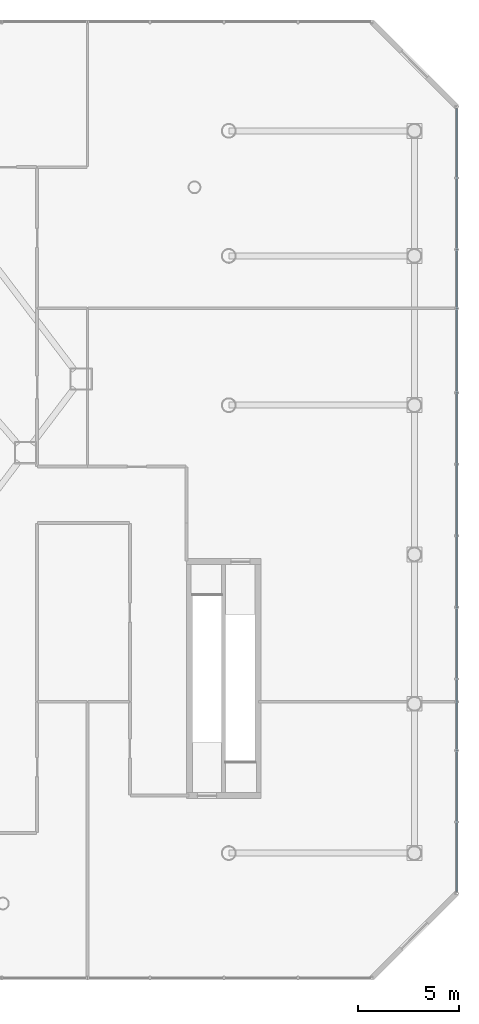
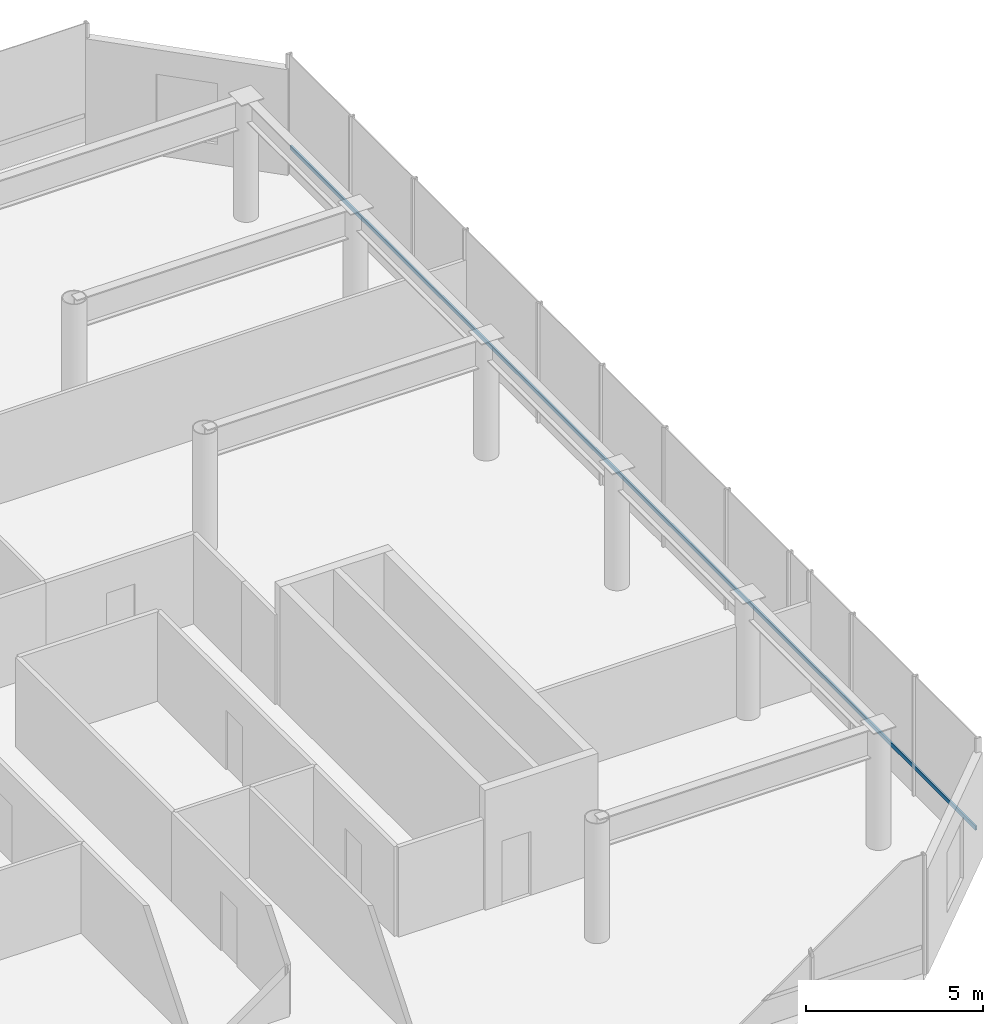
# One storey, part 32 of 43: 1 member, 1 element without a shape of its own.
"""IFC4 building model written with IfcOpenShell, lengths in metres."""

import ifcopenshell
import ifcopenshell.guid

model = None  # the IFC model being written
_history = None  # IfcOwnerHistory: only IFC2X3 demands one
_inside = {}  # id of a spatial element -> (the spatial element, [elements in it])
_under = {}  # id of a project, library or spatial element -> (it, [spatial elements below it])
_declared = {}  # id of a project -> (the project, [libraries it declares])
_typed = {}  # id of a type object -> (the type object, [elements of that type])
_made_of = {}  # id of a material, layer set ... -> (it, [elements and type objects made of it])


def new_model(schema):
    """Start an empty IFC model of exactly this schema.

    Asked for "IFC4X3", IfcOpenShell would pick the latest addendum, in which some entities
    have other attributes; the version numbers below select the first issue.
    IFC2X3 requires an IfcOwnerHistory on every rooted entity: one is made here for all.
    """
    global model, _history
    if schema == "IFC4X3":
        model = ifcopenshell.file(schema_version=(4, 3, 0, 0))
    else:
        model = ifcopenshell.file(schema=schema)
    _inside.clear()
    _under.clear()
    _declared.clear()
    _typed.clear()
    _made_of.clear()
    _history = None
    if model.schema == "IFC2X3":
        org = make("IfcOrganization", Name="unknown")
        user = make(
            "IfcPersonAndOrganization",
            ThePerson=make("IfcPerson", FamilyName="unknown"),
            TheOrganization=org,
        )
        app = make(
            "IfcApplication",
            ApplicationDeveloper=org,
            Version="unknown",
            ApplicationFullName="unknown",
            ApplicationIdentifier="unknown",
        )
        _history = make(
            "IfcOwnerHistory",
            OwningUser=user,
            OwningApplication=app,
            ChangeAction="ADDED",
            CreationDate=0,
        )
    return model


def make(cls, **values):
    """One entity of the class cls with the attributes given. An attribute that is None is left unset."""
    return model.create_entity(
        cls, **{name: value for name, value in values.items() if value is not None}
    )


def rooted(cls, **values):
    """An entity with a GlobalId (a new one), such as an element, a storey or a relation."""
    return make(cls, GlobalId=ifcopenshell.guid.new(), OwnerHistory=_history, **values)


def si_unit(unit_type, name, prefix=None):
    """IfcSIUnit, for example si_unit("LENGTHUNIT", "METRE", prefix="MILLI")."""
    return make("IfcSIUnit", UnitType=unit_type, Prefix=prefix, Name=name)


def assignment(units):
    """IfcUnitAssignment: the units of a project."""
    return None if units is None else make("IfcUnitAssignment", Units=units)


def point(xyz):
    """IfcCartesianPoint."""
    return None if xyz is None else make("IfcCartesianPoint", Coordinates=xyz)


def direction(xyz):
    """IfcDirection."""
    return None if xyz is None else make("IfcDirection", DirectionRatios=xyz)


def frame(location, z_axis=None, x_axis=None):
    """IfcAxis2Placement3D, a coordinate frame: its origin and axes. An axis left out is left unset."""
    return make(
        "IfcAxis2Placement3D",
        Location=point(location),
        Axis=direction(z_axis),
        RefDirection=direction(x_axis),
    )


def frame_2d(location, x_axis=None):
    """IfcAxis2Placement2D, a coordinate frame in the plane: its origin and x axis."""
    return make(
        "IfcAxis2Placement2D", Location=point(location), RefDirection=direction(x_axis)
    )


def origin():
    """The frame at (0, 0, 0) with its axes left unset."""
    return frame((0.0, 0.0, 0.0))


def origin_2d():
    """The frame at (0, 0) in the plane with its x axis left unset."""
    return frame_2d((0.0, 0.0))


def place(relative_to, where):
    """IfcLocalPlacement: puts the frame where relative to a parent placement (None: the world)."""
    return make(
        "IfcLocalPlacement", PlacementRelTo=relative_to, RelativePlacement=where
    )


def context(
    kind, dimensions, precision=None, world=None, true_north=None, identifier=None
):
    """IfcGeometricRepresentationContext, for example the 3D "Model" context."""
    return make(
        "IfcGeometricRepresentationContext",
        ContextIdentifier=identifier,
        ContextType=kind,
        CoordinateSpaceDimension=dimensions,
        Precision=precision,
        WorldCoordinateSystem=world,
        TrueNorth=true_north,
    )


def subcontext(parent, identifier, kind, view, scale=None):
    """IfcGeometricRepresentationSubContext, for example "Body" below "Model"."""
    return make(
        "IfcGeometricRepresentationSubContext",
        ContextIdentifier=identifier,
        ContextType=kind,
        ParentContext=parent,
        TargetScale=scale,
        TargetView=view,
    )


def project(units=None, contexts=None):
    """IfcProject with its units and contexts."""
    return rooted(
        "IfcProject",
        Name="project",
        RepresentationContexts=contexts,
        UnitsInContext=assignment(units),
    )


def spatial(cls, under=None, at=None, **own):
    """A site, building, storey or space (cls), placed at a placement, below another one or the project."""
    s = rooted(cls, ObjectPlacement=at, **own)
    if under is not None:
        _under.setdefault(under.id(), (under, []))[1].append(s)
    return s


def profile(cls, at=None, kind="AREA", **sizes):
    """A parametric profile (cls). Its sizes go by their IFC names, for example OverallWidth=200.0."""
    return make(cls, ProfileType=kind, Position=at, **sizes)


def hollow_rectangle(**sizes):
    """IfcRectangleHollowProfileDef."""
    return profile("IfcRectangleHollowProfileDef", **sizes)


def extrude(swept, where, along, depth):
    """IfcExtrudedAreaSolid: the profile swept, set in the frame where, extruded along a direction by depth."""
    return make(
        "IfcExtrudedAreaSolid",
        SweptArea=swept,
        Position=where,
        ExtrudedDirection=direction(along),
        Depth=depth,
    )


def shape(context_of_items, identifier, shape_type, items):
    """IfcShapeRepresentation: the items that make up one representation, for example the "Body"."""
    return make(
        "IfcShapeRepresentation",
        ContextOfItems=context_of_items,
        RepresentationIdentifier=identifier,
        RepresentationType=shape_type,
        Items=items,
    )


def material(Name=None, Category=None):
    """IfcMaterial."""
    return make("IfcMaterial", Name=Name, Category=Category)


def layer(
    of_material, thickness, ventilated=None, Name=None, Category=None, Priority=None
):
    """IfcMaterialLayer: one layer of a wall or slab, of a material (None: an air gap)."""
    return make(
        "IfcMaterialLayer",
        Material=of_material,
        LayerThickness=thickness,
        IsVentilated=ventilated,
        Name=Name,
        Category=Category,
        Priority=Priority,
    )


def layer_set(layers, Name=None):
    """IfcMaterialLayerSet."""
    return make("IfcMaterialLayerSet", MaterialLayers=layers, LayerSetName=Name)


def material_profile(
    of_material, cross_section, Name=None, Category=None, Priority=None
):
    """IfcMaterialProfile: a cross section and its material."""
    return make(
        "IfcMaterialProfile",
        Name=Name,
        Material=of_material,
        Profile=cross_section,
        Priority=Priority,
        Category=Category,
    )


def profile_set(profiles, Name=None, composite=None):
    """IfcMaterialProfileSet."""
    return make(
        "IfcMaterialProfileSet",
        Name=Name,
        MaterialProfiles=profiles,
        CompositeProfile=composite,
    )


def made_of(thing, what):
    """Note that an element or type object is made of a material, layer set ...; save() writes the relation."""
    if what is not None:
        _made_of.setdefault(what.id(), (what, []))[1].append(thing)
    return thing


def type_object(cls, material=None, **own):
    """A type object (cls), such as IfcWallType, which elements share."""
    return made_of(rooted(cls, **own), material)


def element(
    cls,
    number,
    at=None,
    inside=None,
    cuts=None,
    type_object=None,
    material=None,
    context=None,
    identifier="Body",
    shape_type=None,
    held_by="IfcProductDefinitionShape",
    body=None,
    shapes=None,
    **own,
):
    """One element of the class cls, such as IfcWall. Its Tag is "e" and its number.

    at: its placement. inside: the storey or other place that contains it. cuts: it is an
    opening in that element (IfcRelVoidsElement). A single representation is given by context,
    identifier, shape_type and body (its items); several are given by shapes. held_by: the class
    of the entity that holds the representations. save() writes the other relations.
    """
    e = rooted(cls, Tag="e%d" % number, ObjectPlacement=at, **own)
    if body is not None:
        shapes = [shape(context, identifier, shape_type, body)]
    if shapes is not None:
        e.Representation = make(held_by, Representations=shapes)
    if inside is not None:
        _inside.setdefault(inside.id(), (inside, []))[1].append(e)
    if cuts is not None:
        rooted(
            "IfcRelVoidsElement", RelatingBuildingElement=cuts, RelatedOpeningElement=e
        )
    if type_object is not None:
        _typed.setdefault(type_object.id(), (type_object, []))[1].append(e)
    return made_of(e, material)


def aggregate(whole, parts):
    """IfcRelAggregates: a whole, such as a stair, and the parts it consists of."""
    return rooted("IfcRelAggregates", RelatingObject=whole, RelatedObjects=parts)


def save(model, path):
    """Write the relations noted so far, then the file.

    IfcRelAggregates (storeys below a building ...), IfcRelContainedInSpatialStructure (elements
    in a storey), IfcRelDefinesByType, IfcRelAssociatesMaterial and IfcRelDeclares: one each for
    every whole, place, type object, material and project.
    """
    for whole, parts in _under.values():
        aggregate(whole, parts)
    for where, things in _inside.values():
        rooted(
            "IfcRelContainedInSpatialStructure",
            RelatedElements=things,
            RelatingStructure=where,
        )
    for kind, things in _typed.values():
        rooted("IfcRelDefinesByType", RelatedObjects=things, RelatingType=kind)
    for what, things in _made_of.values():
        rooted("IfcRelAssociatesMaterial", RelatedObjects=things, RelatingMaterial=what)
    for by, libraries in _declared.values():
        rooted("IfcRelDeclares", RelatingContext=by, RelatedDefinitions=libraries)
    model.write(path)


model = new_model("IFC4")

# Units and contexts
model_context = context("Model", 3, precision=1e-05, world=origin(), true_north=direction((0.0, 1.0)))
body_context = subcontext(model_context, "Body", "Model", "MODEL_VIEW")
ifc_project = project(units=[si_unit("LENGTHUNIT", "METRE"), si_unit("AREAUNIT", "SQUARE_METRE"), si_unit("VOLUMEUNIT", "CUBIC_METRE"), si_unit("PLANEANGLEUNIT", "RADIAN"), si_unit("MASSUNIT", "GRAM", prefix="KILO")], contexts=[model_context])

# Site, building, storey
site_placement = place(None, origin())
site = spatial("IfcSite", under=ifc_project, at=site_placement, CompositionType="ELEMENT")
building_placement = place(site_placement, origin())
building = spatial("IfcBuilding", under=site, at=building_placement, Name="Zarrinselat Tower", CompositionType="ELEMENT")
storey_placement = place(building_placement, frame((0.0, 0.0, 5.10009765625)))
storey = spatial("IfcBuildingStorey", under=building, at=storey_placement, Name="L01", CompositionType="ELEMENT", Elevation=5.10009765625)

# Curtain wall, member
ifc_material_1 = material(Name="Extruded Aluminium Alloy EN AW-6063 T6", Category="aluminium")
ifc_layer = layer(ifc_material_1, 0.2099609375)
ifc_layer_set = layer_set([ifc_layer], Name="Extruded Aluminium Alloy EN AW-6063 T6")
curtain_wall_type = type_object("IfcCurtainWallType", Name="CWS-POD", PredefinedType="NOTDEFINED", material=ifc_layer_set)
curtain_wall_placement = place(storey_placement, origin())
curtain_wall = element("IfcCurtainWall", 1, at=curtain_wall_placement, inside=storey, type_object=curtain_wall_type, Name="L01 Unitised Curtain Wall CW-L01-F3", PredefinedType="NOTDEFINED")
ifc_material_2 = material(Name="Extruded Aluminium Alloy EN AW-6063 T6", Category="aluminium")
ifc_material_profile = material_profile(ifc_material_2, hollow_rectangle(XDim=0.06005859375, YDim=0.139892578125, WallThickness=0.00390625, at=origin_2d()), Name="RHS 140x60x4")
ifc_profile_set = profile_set([ifc_material_profile], Name="Extruded Aluminium Alloy EN AW-6063 T6")
member_type = type_object("IfcMemberType", Name="MEM-CW-TRN", PredefinedType="USERDEFINED", material=ifc_profile_set)
member_placement = place(storey_placement, frame((79.300048828125, 9.090087890625, 0.949951171875), z_axis=(0.0, 1.0, 0.0), x_axis=(-1.0, 0.0, 0.0)))
member = element("IfcMember", 2, at=member_placement, type_object=member_type, Name="CW-L01-F3 Transom 1", ObjectType="TRANSOM", PredefinedType="USERDEFINED", context=body_context, shape_type="SweptSolid", body=[
    extrude(hollow_rectangle(XDim=0.06005859375, YDim=0.139892578125, WallThickness=0.00390625, at=origin_2d()), origin(), (0.0, 0.0, 1.0), 38.81982421875),
])
aggregate(curtain_wall, [member])

save(model, "model.ifc")
